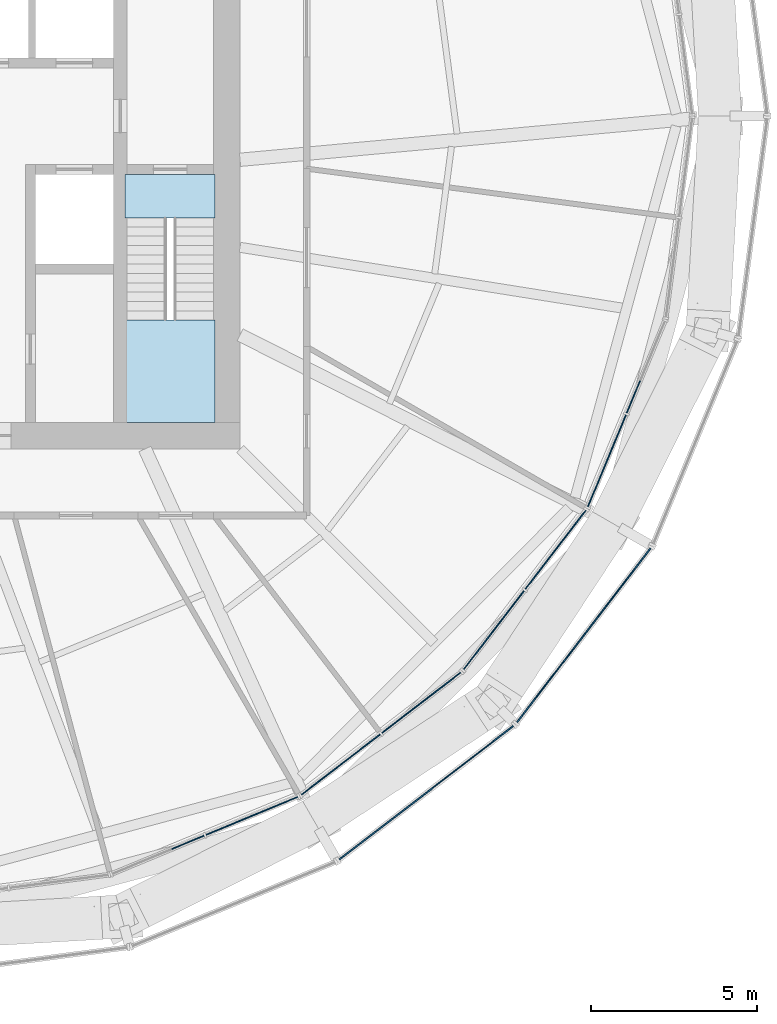
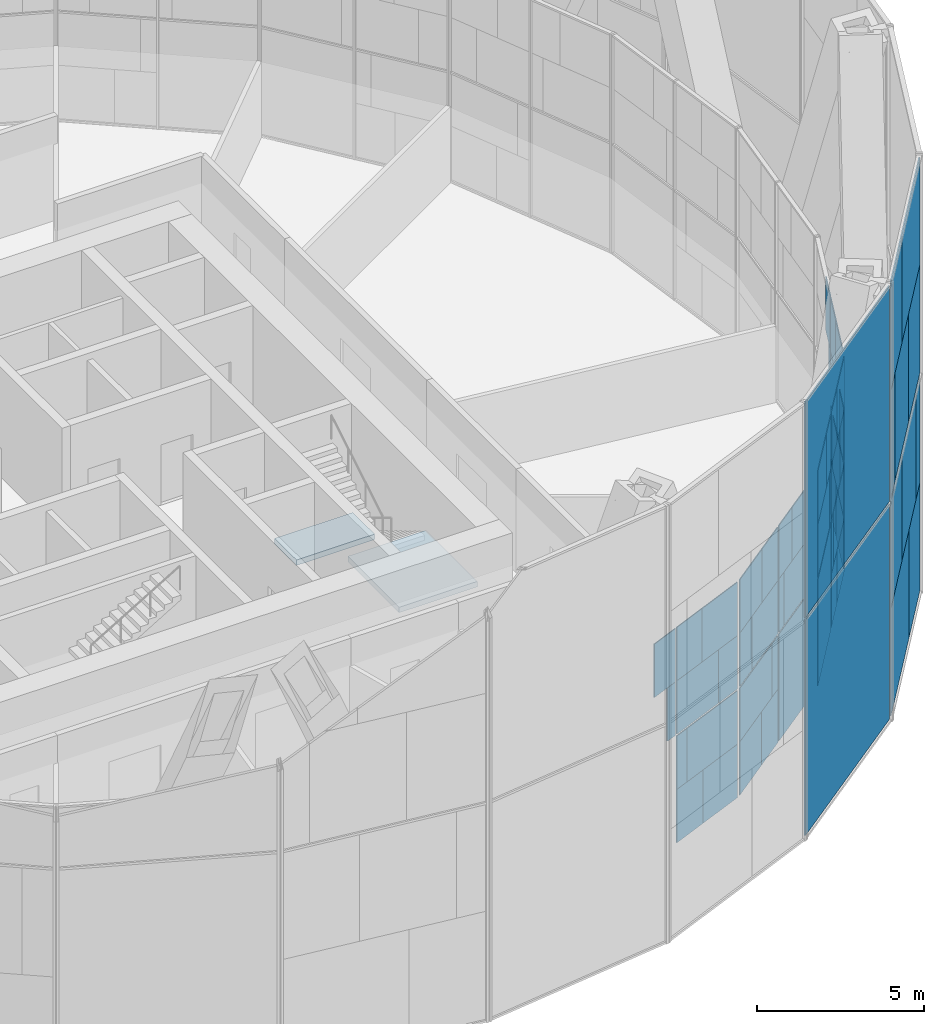
# One storey, part 14 of 22: 58 plates, 2 slabs, 7 elements without a shape of their own.
"""IFC4 building model written with IfcOpenShell, lengths in metres."""

from ifc_helpers import new_model, si_unit, direction, frame, origin, origin_2d, place, context, subcontext, project, spatial, polyline, rectangle, outline, extrude, material, layer, layer_set, type_object, element, aggregate, save


model = new_model("IFC4")

# Units and contexts
model_context = context("Model", 3, precision=1e-05, world=origin(), true_north=direction((0.0, 1.0)))
body_context = subcontext(model_context, "Body", "Model", "MODEL_VIEW")
ifc_project = project(units=[si_unit("LENGTHUNIT", "METRE"), si_unit("AREAUNIT", "SQUARE_METRE"), si_unit("VOLUMEUNIT", "CUBIC_METRE"), si_unit("PLANEANGLEUNIT", "RADIAN"), si_unit("MASSUNIT", "GRAM", prefix="KILO")], contexts=[model_context])

# Site, building, storey
site_placement = place(None, origin())
site = spatial("IfcSite", under=ifc_project, at=site_placement, CompositionType="ELEMENT")
building_placement = place(site_placement, origin())
building = spatial("IfcBuilding", under=site, at=building_placement, Name="Golbaran Civic Tower", CompositionType="ELEMENT")
storey_placement = place(building_placement, frame((0.0, 0.0, 53.0)))
storey = spatial("IfcBuildingStorey", under=building, at=storey_placement, Name="L12", CompositionType="ELEMENT", Elevation=53.0)

# Curtain wall, plates
ifc_material_1 = material(Name="Aluminium and glass", Category="aluminium")
curtain_wall_type_1 = type_object("IfcCurtainWallType", Name="INNER SKIN CURTAIN WALL", PredefinedType="NOTDEFINED", material=ifc_material_1)
curtain_wall_1_placement = place(storey_placement, origin())
curtain_wall_1 = element("IfcCurtainWall", 1, at=curtain_wall_1_placement, inside=storey, type_object=curtain_wall_type_1, Name="Inner skin L12 facet 20 CW1", ObjectType="INNER SKIN", PredefinedType="USERDEFINED")
ifc_material_2 = material(Name="Clear insulating glass", Category="glass")
ifc_layer_1 = layer(ifc_material_2, 0.031982421875, Name="Clear insulating glass")
ifc_layer_set_1 = layer_set([ifc_layer_1], Name="Clear insulating glass")
plate_type_1 = type_object("IfcPlateType", Name="INNER SKIN CURTAIN WALL GLAZED PANEL", PredefinedType="CURTAIN_PANEL", material=ifc_layer_set_1)
plate_1_placement = place(storey_placement, frame((9.5654296875, -21.34765625, 0.06494140625), z_axis=(0.0, 0.0, 1.0), x_axis=(0.923879532491, 0.382683432413, 0.0)))
plate_1 = element("IfcPlate", 2, at=plate_1_placement, type_object=plate_type_1, Name="CW1 panel 2.1 part 1", PredefinedType="CURTAIN_PANEL", context=body_context, shape_type="SweptSolid", body=[
    extrude(rectangle(XDim=1.27099609375, YDim=0.031982421875, at=origin_2d()), origin(), (0.0, 0.0, 1.0), 1.951171875),
])
plate_2_placement = place(storey_placement, frame((9.202880859375, -21.497802734375, 2.016357421875), z_axis=(0.0, 0.0, 1.0), x_axis=(0.923879532491, 0.382683432413, 0.0)))
plate_2 = element("IfcPlate", 3, at=plate_2_placement, type_object=plate_type_1, Name="CW1 panel 2.1 part 3", PredefinedType="CURTAIN_PANEL", context=body_context, shape_type="SweptSolid", body=[
    extrude(rectangle(XDim=0.486083984375, YDim=0.031982421875, at=origin_2d()), origin(), (0.0, 0.0, 1.0), 1.951171875),
])
plate_3_placement = place(storey_placement, frame((11.292724609375, -20.63232421875, 4.032470703125), z_axis=(0.0, 0.0, 1.0), x_axis=(0.923879532491, 0.382683432413, 0.0)))
plate_3 = element("IfcPlate", 4, at=plate_3_placement, type_object=plate_type_1, Name="CW1 panel 2.2 part 2", PredefinedType="CURTAIN_PANEL", context=body_context, shape_type="SweptSolid", body=[
    extrude(rectangle(XDim=0.951904296875, YDim=0.031982421875, at=origin_2d()), origin(), (0.0, 0.0, 1.0), 1.951171875),
])
plate_4_placement = place(storey_placement, frame((10.92822265625, -20.783203125, 5.98388671875), z_axis=(0.0, 0.0, 1.0), x_axis=(0.923879532491, 0.382683432413, 0.0)))
plate_4 = element("IfcPlate", 5, at=plate_4_placement, type_object=plate_type_1, Name="CW1 panel 2.2 part 4", PredefinedType="CURTAIN_PANEL", context=body_context, shape_type="SweptSolid", body=[
    extrude(rectangle(XDim=1.740966796875, YDim=0.031982421875, at=origin_2d()), origin(), (0.0, 0.0, 1.0), 1.951171875),
])

curtain_wall_2_placement = place(storey_placement, origin())
curtain_wall_2 = element("IfcCurtainWall", 6, at=curtain_wall_2_placement, inside=storey, type_object=curtain_wall_type_1, Name="Inner skin L12 facet 21 CW1", ObjectType="INNER SKIN", PredefinedType="USERDEFINED")
plate_5_placement = place(storey_placement, frame((13.704833984375, -18.957763671875, 0.06494140625), z_axis=(0.0, 0.0, 1.0), x_axis=(0.79335334027, 0.608761429036, 0.0)))
plate_5 = element("IfcPlate", 7, at=plate_5_placement, type_object=plate_type_1, Name="CW1 panel 1.1 part 2", PredefinedType="CURTAIN_PANEL", context=body_context, shape_type="SweptSolid", body=[
    extrude(rectangle(XDim=1.27099609375, YDim=0.031982421875, at=origin_2d()), origin(), (0.0, 0.0, 1.0), 1.951171875),
])
plate_6_placement = place(storey_placement, frame((14.016357421875, -18.71875, 2.016357421875), z_axis=(0.0, 0.0, 1.0), x_axis=(0.79335334027, 0.608761429036, 0.0)))
plate_6 = element("IfcPlate", 8, at=plate_6_placement, type_object=plate_type_1, Name="CW1 panel 1.1 part 4", PredefinedType="CURTAIN_PANEL", context=body_context, shape_type="SweptSolid", body=[
    extrude(rectangle(XDim=0.48583984375, YDim=0.031982421875, at=origin_2d()), origin(), (0.0, 0.0, 1.0), 1.951171875),
])
plate_7_placement = place(storey_placement, frame((12.2216796875, -20.095947265625, 4.032470703125), z_axis=(0.0, 0.0, 1.0), x_axis=(0.79335334027, 0.608761429036, 0.0)))
plate_7 = element("IfcPlate", 9, at=plate_7_placement, type_object=plate_type_1, Name="CW1 panel 1.2 part 1", PredefinedType="CURTAIN_PANEL", context=body_context, shape_type="SweptSolid", body=[
    extrude(rectangle(XDim=0.951904296875, YDim=0.031982421875, at=origin_2d()), origin(), (0.0, 0.0, 1.0), 1.951171875),
])
plate_8_placement = place(storey_placement, frame((12.53466796875, -19.855712890625, 5.98388671875), z_axis=(0.0, 0.0, 1.0), x_axis=(0.79335334027, 0.608761429036, 0.0)))
plate_8 = element("IfcPlate", 10, at=plate_8_placement, type_object=plate_type_1, Name="CW1 panel 1.2 part 3", PredefinedType="CURTAIN_PANEL", context=body_context, shape_type="SweptSolid", body=[
    extrude(rectangle(XDim=1.740966796875, YDim=0.031982421875, at=origin_2d()), origin(), (0.0, 0.0, 1.0), 1.951171875),
])
plate_9_placement = place(storey_placement, frame((15.443115234375, -17.6240234375, 0.06494140625), z_axis=(0.0, 0.0, 1.0), x_axis=(0.79335334027, 0.608761429036, 0.0)))
plate_9 = element("IfcPlate", 11, at=plate_9_placement, type_object=plate_type_1, Name="CW1 panel 2.1", PredefinedType="CURTAIN_PANEL", context=body_context, shape_type="SweptSolid", body=[
    extrude(rectangle(XDim=2.98095703125, YDim=0.031982421875, at=origin_2d()), origin(), (0.0, 0.0, 1.0), 3.902587890625),
])
plate_10_placement = place(storey_placement, frame((15.601806640625, -17.502197265625, 4.032470703125), z_axis=(0.0, 0.0, 1.0), x_axis=(0.79335334027, 0.608761429036, 0.0)))
plate_10 = element("IfcPlate", 12, at=plate_10_placement, type_object=plate_type_1, Name="CW1 panel 2.2 part 2", PredefinedType="CURTAIN_PANEL", context=body_context, shape_type="SweptSolid", body=[
    extrude(rectangle(XDim=2.5810546875, YDim=0.031982421875, at=origin_2d()), origin(), (0.0, 0.0, 1.0), 1.951171875),
])
plate_11_placement = place(storey_placement, frame((15.857666015625, -17.305908203125, 5.98388671875), z_axis=(0.0, 0.0, 1.0), x_axis=(0.79335334027, 0.608761429036, 0.0)))
plate_11 = element("IfcPlate", 13, at=plate_11_placement, type_object=plate_type_1, Name="CW1 panel 2.2 part 4", PredefinedType="CURTAIN_PANEL", context=body_context, shape_type="SweptSolid", body=[
    extrude(rectangle(XDim=1.93603515625, YDim=0.031982421875, at=origin_2d()), origin(), (0.0, 0.0, 1.0), 1.951171875),
])

curtain_wall_3_placement = place(storey_placement, origin())
curtain_wall_3 = element("IfcCurtainWall", 14, at=curtain_wall_3_placement, inside=storey, type_object=curtain_wall_type_1, Name="Inner skin L12 facet 22 CW1", ObjectType="INNER SKIN", PredefinedType="USERDEFINED")
plate_12_placement = place(storey_placement, frame((17.6240234375, -15.443115234375, 0.06494140625), z_axis=(0.0, 0.0, 1.0), x_axis=(0.608761429036, 0.79335334027, 0.0)))
plate_12 = element("IfcPlate", 15, at=plate_12_placement, type_object=plate_type_1, Name="CW1 panel 1.1", PredefinedType="CURTAIN_PANEL", context=body_context, shape_type="SweptSolid", body=[
    extrude(rectangle(XDim=2.98095703125, YDim=0.031982421875, at=origin_2d()), origin(), (0.0, 0.0, 1.0), 3.902587890625),
])
plate_13_placement = place(storey_placement, frame((17.501708984375, -15.6025390625, 4.032470703125), z_axis=(0.0, 0.0, 1.0), x_axis=(0.608761429036, 0.79335334027, 0.0)))
plate_13 = element("IfcPlate", 16, at=plate_13_placement, type_object=plate_type_1, Name="CW1 panel 1.2 part 1", PredefinedType="CURTAIN_PANEL", context=body_context, shape_type="SweptSolid", body=[
    extrude(rectangle(XDim=2.5791015625, YDim=0.031982421875, at=origin_2d()), origin(), (0.0, 0.0, 1.0), 1.951171875),
])
plate_14_placement = place(storey_placement, frame((17.305908203125, -15.857666015625, 5.98388671875), z_axis=(0.0, 0.0, 1.0), x_axis=(0.608761429036, 0.79335334027, 0.0)))
plate_14 = element("IfcPlate", 17, at=plate_14_placement, type_object=plate_type_1, Name="CW1 panel 1.2 part 3", PredefinedType="CURTAIN_PANEL", context=body_context, shape_type="SweptSolid", body=[
    extrude(rectangle(XDim=1.93603515625, YDim=0.031982421875, at=origin_2d()), origin(), (0.0, 0.0, 1.0), 1.951171875),
])
plate_15_placement = place(storey_placement, frame((18.957763671875, -13.704833984375, 0.06494140625), z_axis=(0.0, 0.0, 1.0), x_axis=(0.608761429036, 0.79335334027, 0.0)))
plate_15 = element("IfcPlate", 18, at=plate_15_placement, type_object=plate_type_1, Name="CW1 panel 2.1 part 1", PredefinedType="CURTAIN_PANEL", context=body_context, shape_type="SweptSolid", body=[
    extrude(rectangle(XDim=1.27099609375, YDim=0.031982421875, at=origin_2d()), origin(), (0.0, 0.0, 1.0), 1.951171875),
])
plate_16_placement = place(storey_placement, frame((18.718994140625, -14.016357421875, 2.016357421875), z_axis=(0.0, 0.0, 1.0), x_axis=(0.608761429036, 0.79335334027, 0.0)))
plate_16 = element("IfcPlate", 19, at=plate_16_placement, type_object=plate_type_1, Name="CW1 panel 2.1 part 3", PredefinedType="CURTAIN_PANEL", context=body_context, shape_type="SweptSolid", body=[
    extrude(rectangle(XDim=0.486083984375, YDim=0.031982421875, at=origin_2d()), origin(), (0.0, 0.0, 1.0), 1.951171875),
])
plate_17_placement = place(storey_placement, frame((20.095947265625, -12.2216796875, 4.032470703125), z_axis=(0.0, 0.0, 1.0), x_axis=(0.608761429036, 0.79335334027, 0.0)))
plate_17 = element("IfcPlate", 20, at=plate_17_placement, type_object=plate_type_1, Name="CW1 panel 2.2 part 2", PredefinedType="CURTAIN_PANEL", context=body_context, shape_type="SweptSolid", body=[
    extrude(rectangle(XDim=0.951904296875, YDim=0.031982421875, at=origin_2d()), origin(), (0.0, 0.0, 1.0), 1.951171875),
])
plate_18_placement = place(storey_placement, frame((19.855712890625, -12.53466796875, 5.98388671875), z_axis=(0.0, 0.0, 1.0), x_axis=(0.608761429036, 0.79335334027, 0.0)))
plate_18 = element("IfcPlate", 21, at=plate_18_placement, type_object=plate_type_1, Name="CW1 panel 2.2 part 4", PredefinedType="CURTAIN_PANEL", context=body_context, shape_type="SweptSolid", body=[
    extrude(rectangle(XDim=1.740966796875, YDim=0.031982421875, at=origin_2d()), origin(), (0.0, 0.0, 1.0), 1.951171875),
])

curtain_wall_4_placement = place(storey_placement, origin())
curtain_wall_4 = element("IfcCurtainWall", 22, at=curtain_wall_4_placement, inside=storey, type_object=curtain_wall_type_1, Name="Inner skin L12 facet 23 CW1", ObjectType="INNER SKIN", PredefinedType="USERDEFINED")
plate_19_placement = place(storey_placement, frame((21.34765625, -9.5654296875, 0.06494140625), z_axis=(0.0, 0.0, 1.0), x_axis=(0.382683432413, 0.923879532491, 0.0)))
plate_19 = element("IfcPlate", 23, at=plate_19_placement, type_object=plate_type_1, Name="CW1 panel 1.1 part 2", PredefinedType="CURTAIN_PANEL", context=body_context, shape_type="SweptSolid", body=[
    extrude(rectangle(XDim=1.27099609375, YDim=0.031982421875, at=origin_2d()), origin(), (0.0, 0.0, 1.0), 1.951171875),
])
plate_20_placement = place(storey_placement, frame((21.497802734375, -9.202880859375, 2.016357421875), z_axis=(0.0, 0.0, 1.0), x_axis=(0.382683432413, 0.923879532491, 0.0)))
plate_20 = element("IfcPlate", 24, at=plate_20_placement, type_object=plate_type_1, Name="CW1 panel 1.1 part 4", PredefinedType="CURTAIN_PANEL", context=body_context, shape_type="SweptSolid", body=[
    extrude(rectangle(XDim=0.48583984375, YDim=0.031982421875, at=origin_2d()), origin(), (0.0, 0.0, 1.0), 1.951171875),
])
plate_21_placement = place(storey_placement, frame((20.63232421875, -11.292724609375, 4.032470703125), z_axis=(0.0, 0.0, 1.0), x_axis=(0.382683432413, 0.923879532491, 0.0)))
plate_21 = element("IfcPlate", 25, at=plate_21_placement, type_object=plate_type_1, Name="CW1 panel 1.2 part 1", PredefinedType="CURTAIN_PANEL", context=body_context, shape_type="SweptSolid", body=[
    extrude(rectangle(XDim=0.951904296875, YDim=0.031982421875, at=origin_2d()), origin(), (0.0, 0.0, 1.0), 1.951171875),
])
plate_22_placement = place(storey_placement, frame((20.783203125, -10.92822265625, 5.98388671875), z_axis=(0.0, 0.0, 1.0), x_axis=(0.382683432413, 0.923879532491, 0.0)))
plate_22 = element("IfcPlate", 26, at=plate_22_placement, type_object=plate_type_1, Name="CW1 panel 1.2 part 3", PredefinedType="CURTAIN_PANEL", context=body_context, shape_type="SweptSolid", body=[
    extrude(rectangle(XDim=1.740966796875, YDim=0.031982421875, at=origin_2d()), origin(), (0.0, 0.0, 1.0), 1.951171875),
])

# Plate
ifc_material_3 = material(Name="Aluminium faced opaque infill panel", Category="aluminium")
ifc_layer_2 = layer(ifc_material_3, 0.031982421875, Name="Aluminium faced opaque infill panel")
ifc_layer_set_2 = layer_set([ifc_layer_2], Name="Aluminium faced opaque infill panel")
plate_type_2 = type_object("IfcPlateType", Name="INNER SKIN CURTAIN WALL OPAQUE INFILL PANEL", PredefinedType="CURTAIN_PANEL", material=ifc_layer_set_2)
plate_23_placement = place(storey_placement, frame((8.732666015625, -21.692626953125, 4.032470703125), z_axis=(0.0, 0.0, 1.0), x_axis=(0.923879532491, 0.382683432413, 0.0)))
plate_23 = element("IfcPlate", 27, at=plate_23_placement, type_object=plate_type_2, Name="CW1 infill panel 1.2 part 2", PredefinedType="CURTAIN_PANEL", context=body_context, shape_type="SweptSolid", body=[
    extrude(rectangle(XDim=0.40185546875, YDim=0.031982421875, at=origin_2d()), origin(), (0.0, 0.0, 1.0), 1.951171875),
])

plate_24_placement = place(storey_placement, frame((8.435546875, -21.815673828125, 5.98388671875), z_axis=(0.0, 0.0, 1.0), x_axis=(0.923879532491, 0.382683432413, 0.0)))
plate_24 = element("IfcPlate", 28, at=plate_24_placement, type_object=plate_type_2, Name="CW1 infill panel 1.2 part 4", PredefinedType="CURTAIN_PANEL", context=body_context, shape_type="SweptSolid", body=[
    extrude(rectangle(XDim=1.044921875, YDim=0.031982421875, at=origin_2d()), origin(), (0.0, 0.0, 1.0), 1.951171875),
])

plate_25_placement = place(storey_placement, frame((10.942626953125, -20.77734375, 0.06494140625), z_axis=(0.0, 0.0, 1.0), x_axis=(0.923879532491, 0.382683432413, 0.0)))
plate_25 = element("IfcPlate", 29, at=plate_25_placement, type_object=plate_type_2, Name="CW1 infill panel 2.1 part 2", PredefinedType="CURTAIN_PANEL", context=body_context, shape_type="SweptSolid", body=[
    extrude(rectangle(XDim=1.7099609375, YDim=0.031982421875, at=origin_2d()), origin(), (0.0, 0.0, 1.0), 1.951171875),
])

plate_26_placement = place(storey_placement, frame((10.579833984375, -20.927490234375, 2.016357421875), z_axis=(0.0, 0.0, 1.0), x_axis=(0.923879532491, 0.382683432413, 0.0)))
plate_26 = element("IfcPlate", 30, at=plate_26_placement, type_object=plate_type_2, Name="CW1 infill panel 2.1 part 4", PredefinedType="CURTAIN_PANEL", context=body_context, shape_type="SweptSolid", body=[
    extrude(rectangle(XDim=2.494873046875, YDim=0.031982421875, at=origin_2d()), origin(), (0.0, 0.0, 1.0), 1.951171875),
])

plate_27_placement = place(storey_placement, frame((9.915771484375, -21.20263671875, 4.032470703125), z_axis=(0.0, 0.0, 1.0), x_axis=(0.923879532491, 0.382683432413, 0.0)))
plate_27 = element("IfcPlate", 31, at=plate_27_placement, type_object=plate_type_2, Name="CW1 infill panel 2.2 part 1", PredefinedType="CURTAIN_PANEL", context=body_context, shape_type="SweptSolid", body=[
    extrude(rectangle(XDim=2.029052734375, YDim=0.031982421875, at=origin_2d()), origin(), (0.0, 0.0, 1.0), 1.951171875),
])

plate_28_placement = place(storey_placement, frame((9.55126953125, -21.353515625, 5.98388671875), z_axis=(0.0, 0.0, 1.0), x_axis=(0.923879532491, 0.382683432413, 0.0)))
plate_28 = element("IfcPlate", 32, at=plate_28_placement, type_object=plate_type_2, Name="CW1 infill panel 2.2 part 3", PredefinedType="CURTAIN_PANEL", context=body_context, shape_type="SweptSolid", body=[
    extrude(rectangle(XDim=1.239990234375, YDim=0.031982421875, at=origin_2d()), origin(), (0.0, 0.0, 1.0), 1.951171875),
])

aggregate(curtain_wall_1, [plate_23, plate_24, plate_1, plate_25, plate_2, plate_26, plate_27, plate_3, plate_28, plate_4])

plate_29_placement = place(storey_placement, frame((12.5224609375, -19.865234375, 0.06494140625), z_axis=(0.0, 0.0, 1.0), x_axis=(0.79335334027, 0.608761429036, 0.0)))
plate_29 = element("IfcPlate", 33, at=plate_29_placement, type_object=plate_type_2, Name="CW1 infill panel 1.1 part 1", PredefinedType="CURTAIN_PANEL", context=body_context, shape_type="SweptSolid", body=[
    extrude(rectangle(XDim=1.7099609375, YDim=0.031982421875, at=origin_2d()), origin(), (0.0, 0.0, 1.0), 1.951171875),
])

plate_30_placement = place(storey_placement, frame((12.833740234375, -19.626220703125, 2.016357421875), z_axis=(0.0, 0.0, 1.0), x_axis=(0.79335334027, 0.608761429036, 0.0)))
plate_30 = element("IfcPlate", 34, at=plate_30_placement, type_object=plate_type_2, Name="CW1 infill panel 1.1 part 3", PredefinedType="CURTAIN_PANEL", context=body_context, shape_type="SweptSolid", body=[
    extrude(rectangle(XDim=2.4951171875, YDim=0.031982421875, at=origin_2d()), origin(), (0.0, 0.0, 1.0), 1.951171875),
])

plate_31_placement = place(storey_placement, frame((13.404296875, -19.1884765625, 4.032470703125), z_axis=(0.0, 0.0, 1.0), x_axis=(0.79335334027, 0.608761429036, 0.0)))
plate_31 = element("IfcPlate", 35, at=plate_31_placement, type_object=plate_type_2, Name="CW1 infill panel 1.2 part 2", PredefinedType="CURTAIN_PANEL", context=body_context, shape_type="SweptSolid", body=[
    extrude(rectangle(XDim=2.029052734375, YDim=0.031982421875, at=origin_2d()), origin(), (0.0, 0.0, 1.0), 1.951171875),
])

plate_32_placement = place(storey_placement, frame((13.717041015625, -18.948486328125, 5.98388671875), z_axis=(0.0, 0.0, 1.0), x_axis=(0.79335334027, 0.608761429036, 0.0)))
plate_32 = element("IfcPlate", 36, at=plate_32_placement, type_object=plate_type_2, Name="CW1 infill panel 1.2 part 4", PredefinedType="CURTAIN_PANEL", context=body_context, shape_type="SweptSolid", body=[
    extrude(rectangle(XDim=1.239990234375, YDim=0.031982421875, at=origin_2d()), origin(), (0.0, 0.0, 1.0), 1.951171875),
])

plate_33_placement = place(storey_placement, frame((14.419189453125, -18.40966796875, 4.032470703125), z_axis=(0.0, 0.0, 1.0), x_axis=(0.79335334027, 0.608761429036, 0.0)))
plate_33 = element("IfcPlate", 37, at=plate_33_placement, type_object=plate_type_2, Name="CW1 infill panel 2.2 part 1", PredefinedType="CURTAIN_PANEL", context=body_context, shape_type="SweptSolid", body=[
    extrude(rectangle(XDim=0.39990234375, YDim=0.031982421875, at=origin_2d()), origin(), (0.0, 0.0, 1.0), 1.951171875),
])

plate_34_placement = place(storey_placement, frame((14.675048828125, -18.21337890625, 5.98388671875), z_axis=(0.0, 0.0, 1.0), x_axis=(0.79335334027, 0.608761429036, 0.0)))
plate_34 = element("IfcPlate", 38, at=plate_34_placement, type_object=plate_type_2, Name="CW1 infill panel 2.2 part 3", PredefinedType="CURTAIN_PANEL", context=body_context, shape_type="SweptSolid", body=[
    extrude(rectangle(XDim=1.044921875, YDim=0.031982421875, at=origin_2d()), origin(), (0.0, 0.0, 1.0), 1.951171875),
])

aggregate(curtain_wall_2, [plate_29, plate_5, plate_30, plate_6, plate_7, plate_31, plate_8, plate_32, plate_9, plate_33, plate_10, plate_34, plate_11])

plate_35_placement = place(storey_placement, frame((18.408935546875, -14.419921875, 4.032470703125), z_axis=(0.0, 0.0, 1.0), x_axis=(0.608761429036, 0.79335334027, 0.0)))
plate_35 = element("IfcPlate", 39, at=plate_35_placement, type_object=plate_type_2, Name="CW1 infill panel 1.2 part 2", PredefinedType="CURTAIN_PANEL", context=body_context, shape_type="SweptSolid", body=[
    extrude(rectangle(XDim=0.40185546875, YDim=0.031982421875, at=origin_2d()), origin(), (0.0, 0.0, 1.0), 1.951171875),
])

plate_36_placement = place(storey_placement, frame((18.21337890625, -14.675048828125, 5.98388671875), z_axis=(0.0, 0.0, 1.0), x_axis=(0.608761429036, 0.79335334027, 0.0)))
plate_36 = element("IfcPlate", 40, at=plate_36_placement, type_object=plate_type_2, Name="CW1 infill panel 1.2 part 4", PredefinedType="CURTAIN_PANEL", context=body_context, shape_type="SweptSolid", body=[
    extrude(rectangle(XDim=1.044921875, YDim=0.031982421875, at=origin_2d()), origin(), (0.0, 0.0, 1.0), 1.951171875),
])

plate_37_placement = place(storey_placement, frame((19.865234375, -12.5224609375, 0.06494140625), z_axis=(0.0, 0.0, 1.0), x_axis=(0.608761429036, 0.79335334027, 0.0)))
plate_37 = element("IfcPlate", 41, at=plate_37_placement, type_object=plate_type_2, Name="CW1 infill panel 2.1 part 2", PredefinedType="CURTAIN_PANEL", context=body_context, shape_type="SweptSolid", body=[
    extrude(rectangle(XDim=1.7099609375, YDim=0.031982421875, at=origin_2d()), origin(), (0.0, 0.0, 1.0), 1.951171875),
])

plate_38_placement = place(storey_placement, frame((19.626220703125, -12.833740234375, 2.016357421875), z_axis=(0.0, 0.0, 1.0), x_axis=(0.608761429036, 0.79335334027, 0.0)))
plate_38 = element("IfcPlate", 42, at=plate_38_placement, type_object=plate_type_2, Name="CW1 infill panel 2.1 part 4", PredefinedType="CURTAIN_PANEL", context=body_context, shape_type="SweptSolid", body=[
    extrude(rectangle(XDim=2.494873046875, YDim=0.031982421875, at=origin_2d()), origin(), (0.0, 0.0, 1.0), 1.951171875),
])

plate_39_placement = place(storey_placement, frame((19.1884765625, -13.404052734375, 4.032470703125), z_axis=(0.0, 0.0, 1.0), x_axis=(0.608761429036, 0.79335334027, 0.0)))
plate_39 = element("IfcPlate", 43, at=plate_39_placement, type_object=plate_type_2, Name="CW1 infill panel 2.2 part 1", PredefinedType="CURTAIN_PANEL", context=body_context, shape_type="SweptSolid", body=[
    extrude(rectangle(XDim=2.029052734375, YDim=0.031982421875, at=origin_2d()), origin(), (0.0, 0.0, 1.0), 1.951171875),
])

plate_40_placement = place(storey_placement, frame((18.948486328125, -13.717041015625, 5.98388671875), z_axis=(0.0, 0.0, 1.0), x_axis=(0.608761429036, 0.79335334027, 0.0)))
plate_40 = element("IfcPlate", 44, at=plate_40_placement, type_object=plate_type_2, Name="CW1 infill panel 2.2 part 3", PredefinedType="CURTAIN_PANEL", context=body_context, shape_type="SweptSolid", body=[
    extrude(rectangle(XDim=1.239990234375, YDim=0.031982421875, at=origin_2d()), origin(), (0.0, 0.0, 1.0), 1.951171875),
])

aggregate(curtain_wall_3, [plate_12, plate_13, plate_35, plate_14, plate_36, plate_15, plate_37, plate_16, plate_38, plate_39, plate_17, plate_40, plate_18])

plate_41_placement = place(storey_placement, frame((20.77734375, -10.942626953125, 0.06494140625), z_axis=(0.0, 0.0, 1.0), x_axis=(0.382683432413, 0.923879532491, 0.0)))
plate_41 = element("IfcPlate", 45, at=plate_41_placement, type_object=plate_type_2, Name="CW1 infill panel 1.1 part 1", PredefinedType="CURTAIN_PANEL", context=body_context, shape_type="SweptSolid", body=[
    extrude(rectangle(XDim=1.7099609375, YDim=0.031982421875, at=origin_2d()), origin(), (0.0, 0.0, 1.0), 1.951171875),
])

plate_42_placement = place(storey_placement, frame((20.927490234375, -10.579833984375, 2.016357421875), z_axis=(0.0, 0.0, 1.0), x_axis=(0.382683432413, 0.923879532491, 0.0)))
plate_42 = element("IfcPlate", 46, at=plate_42_placement, type_object=plate_type_2, Name="CW1 infill panel 1.1 part 3", PredefinedType="CURTAIN_PANEL", context=body_context, shape_type="SweptSolid", body=[
    extrude(rectangle(XDim=2.4951171875, YDim=0.031982421875, at=origin_2d()), origin(), (0.0, 0.0, 1.0), 1.951171875),
])

plate_43_placement = place(storey_placement, frame((21.20263671875, -9.915771484375, 4.032470703125), z_axis=(0.0, 0.0, 1.0), x_axis=(0.382683432413, 0.923879532491, 0.0)))
plate_43 = element("IfcPlate", 47, at=plate_43_placement, type_object=plate_type_2, Name="CW1 infill panel 1.2 part 2", PredefinedType="CURTAIN_PANEL", context=body_context, shape_type="SweptSolid", body=[
    extrude(rectangle(XDim=2.029052734375, YDim=0.031982421875, at=origin_2d()), origin(), (0.0, 0.0, 1.0), 1.951171875),
])

plate_44_placement = place(storey_placement, frame((21.353515625, -9.55126953125, 5.98388671875), z_axis=(0.0, 0.0, 1.0), x_axis=(0.382683432413, 0.923879532491, 0.0)))
plate_44 = element("IfcPlate", 48, at=plate_44_placement, type_object=plate_type_2, Name="CW1 infill panel 1.2 part 4", PredefinedType="CURTAIN_PANEL", context=body_context, shape_type="SweptSolid", body=[
    extrude(rectangle(XDim=1.239990234375, YDim=0.031982421875, at=origin_2d()), origin(), (0.0, 0.0, 1.0), 1.951171875),
])

plate_45_placement = place(storey_placement, frame((21.692138671875, -8.733642578125, 4.032470703125), z_axis=(0.0, 0.0, 1.0), x_axis=(0.382683432413, 0.923879532491, 0.0)))
plate_45 = element("IfcPlate", 49, at=plate_45_placement, type_object=plate_type_2, Name="CW1 infill panel 2.2 part 1", PredefinedType="CURTAIN_PANEL", context=body_context, shape_type="SweptSolid", body=[
    extrude(rectangle(XDim=0.39990234375, YDim=0.031982421875, at=origin_2d()), origin(), (0.0, 0.0, 1.0), 1.951171875),
])

plate_46_placement = place(storey_placement, frame((21.815673828125, -8.435546875, 5.98388671875), z_axis=(0.0, 0.0, 1.0), x_axis=(0.382683432413, 0.923879532491, 0.0)))
plate_46 = element("IfcPlate", 50, at=plate_46_placement, type_object=plate_type_2, Name="CW1 infill panel 2.2 part 3", PredefinedType="CURTAIN_PANEL", context=body_context, shape_type="SweptSolid", body=[
    extrude(rectangle(XDim=1.044921875, YDim=0.031982421875, at=origin_2d()), origin(), (0.0, 0.0, 1.0), 1.951171875),
])

aggregate(curtain_wall_4, [plate_41, plate_19, plate_42, plate_20, plate_21, plate_43, plate_22, plate_44, plate_45, plate_46])

# Curtain wall, plates
curtain_wall_type_2 = type_object("IfcCurtainWallType", Name="OUTER SKIN TERRACOTTA SCREEN", PredefinedType="NOTDEFINED", material=ifc_material_1)
curtain_wall_5_placement = place(storey_placement, origin())
curtain_wall_5 = element("IfcCurtainWall", 51, at=curtain_wall_5_placement, inside=storey, type_object=curtain_wall_type_2, Name="Outer skin L12 facet 22 CW3", ObjectType="OUTER SKIN", PredefinedType="USERDEFINED")
ifc_material_4 = material(Name="Clear laminated glass", Category="glass")
ifc_layer_3 = layer(ifc_material_4, 0.0400390625, Name="Clear laminated glass")
ifc_layer_set_3 = layer_set([ifc_layer_3], Name="Clear laminated glass")
plate_type_3 = type_object("IfcPlateType", Name="OUTER SKIN CLEAR GLASS PANEL", PredefinedType="CURTAIN_PANEL", material=ifc_layer_set_3)
plate_47_placement = place(storey_placement, frame((19.570556640625, -16.58056640625, -0.6298828125), z_axis=(0.0, 0.0, 1.0), x_axis=(0.608761428926, 0.793353340355, 0.0)))
plate_47 = element("IfcPlate", 52, at=plate_47_placement, type_object=plate_type_3, Name="CW3 panel 1.1 part 1", PredefinedType="CURTAIN_PANEL", context=body_context, shape_type="SweptSolid", body=[
    extrude(rectangle(XDim=4.10498046875, YDim=0.0400390625, at=origin_2d()), origin(), (0.0, 0.0, 1.0), 3.93994140625),
])
plate_48_placement = place(storey_placement, frame((19.08544921875, -17.212890625, 3.31005859375), z_axis=(0.0, 0.0, 1.0), x_axis=(0.608761428926, 0.793353340355, 0.0)))
plate_48 = element("IfcPlate", 53, at=plate_48_placement, type_object=plate_type_3, Name="CW3 panel 1.1 part 3", PredefinedType="CURTAIN_PANEL", context=body_context, shape_type="SweptSolid", body=[
    extrude(rectangle(XDim=2.510986328125, YDim=0.0400390625, at=origin_2d()), origin(), (0.0, 0.0, 1.0), 3.93994140625),
])
plate_49_placement = place(storey_placement, frame((22.04541015625, -13.355224609375, 3.31005859375), z_axis=(0.0, 0.0, 1.0), x_axis=(0.608761428926, 0.793353340355, 0.0)))
plate_49 = element("IfcPlate", 54, at=plate_49_placement, type_object=plate_type_3, Name="CW3 panel 1.1 part 5", PredefinedType="CURTAIN_PANEL", context=body_context, shape_type="SweptSolid", body=[
    extrude(rectangle(XDim=0.935791015625, YDim=0.0400390625, at=origin_2d()), origin(), (0.0, 0.0, 1.0), 3.93994140625),
])
plate_50_placement = place(storey_placement, frame((18.5908203125, -17.857421875, 7.330078125), z_axis=(0.0, 0.0, 1.0), x_axis=(0.608761428926, 0.793353340355, 0.0)))
plate_50 = element("IfcPlate", 55, at=plate_50_placement, type_object=plate_type_3, Name="CW3 panel 1.2 part 1", PredefinedType="CURTAIN_PANEL", context=body_context, shape_type="SweptSolid", body=[
    extrude(rectangle(XDim=0.885986328125, YDim=0.0400390625, at=origin_2d()), origin(), (0.0, 0.0, 1.0), 3.93994140625),
])
plate_51_placement = place(storey_placement, frame((21.55322265625, -13.99658203125, 7.330078125), z_axis=(0.0, 0.0, 1.0), x_axis=(0.608761428926, 0.793353340355, 0.0)))
plate_51 = element("IfcPlate", 56, at=plate_51_placement, type_object=plate_type_3, Name="CW3 panel 1.2 part 3", PredefinedType="CURTAIN_PANEL", context=body_context, shape_type="SweptSolid", body=[
    extrude(rectangle(XDim=2.552734375, YDim=0.0400390625, at=origin_2d()), origin(), (0.0, 0.0, 1.0), 3.93994140625),
])
plate_52_placement = place(storey_placement, frame((21.07080078125, -14.625244140625, 11.27001953125), z_axis=(0.0, 0.0, 1.0), x_axis=(0.608761428926, 0.793353340355, 0.0)))
plate_52 = element("IfcPlate", 57, at=plate_52_placement, type_object=plate_type_3, Name="CW3 panel 1.2 part 5", PredefinedType="CURTAIN_PANEL", context=body_context, shape_type="SweptSolid", body=[
    extrude(rectangle(XDim=4.137939453125, YDim=0.0400390625, at=origin_2d()), origin(), (0.0, 0.0, 1.0), 3.93994140625),
])
ifc_material_5 = material(Name="Terracotta baguette screen", Category="masonry")
ifc_layer_4 = layer(ifc_material_5, 0.0400390625, Name="Terracotta baguette screen")
ifc_layer_set_4 = layer_set([ifc_layer_4], Name="Terracotta baguette screen")
plate_type_4 = type_object("IfcPlateType", Name="OUTER SKIN TERRACOTTA INFILL PANEL", PredefinedType="CURTAIN_PANEL", material=ifc_layer_set_4)
plate_53_placement = place(storey_placement, frame((21.5751953125, -13.968017578125, -0.6298828125), z_axis=(0.0, 0.0, 1.0), x_axis=(0.608761428926, 0.793353340355, 0.0)))
plate_53 = element("IfcPlate", 58, at=plate_53_placement, type_object=plate_type_4, Name="CW3 infill panel 1.1 part 2", PredefinedType="CURTAIN_PANEL", context=body_context, shape_type="SweptSolid", body=[
    extrude(rectangle(XDim=2.48095703125, YDim=0.0400390625, at=origin_2d()), origin(), (0.0, 0.0, 1.0), 3.93994140625),
])
plate_54_placement = place(storey_placement, frame((20.80517578125, -14.9716796875, 3.31005859375), z_axis=(0.0, 0.0, 1.0), x_axis=(0.608761428926, 0.793353340355, 0.0)))
plate_54 = element("IfcPlate", 59, at=plate_54_placement, type_object=plate_type_4, Name="CW3 infill panel 1.1 part 4", PredefinedType="CURTAIN_PANEL", context=body_context, shape_type="SweptSolid", body=[
    extrude(rectangle(XDim=3.138916015625, YDim=0.0400390625, at=origin_2d()), origin(), (0.0, 0.0, 1.0), 3.93994140625),
])
plate_55_placement = place(storey_placement, frame((19.818359375, -16.257568359375, 7.330078125), z_axis=(0.0, 0.0, 1.0), x_axis=(0.608761428926, 0.793353340355, 0.0)))
plate_55 = element("IfcPlate", 60, at=plate_55_placement, type_object=plate_type_4, Name="CW3 infill panel 1.2 part 2", PredefinedType="CURTAIN_PANEL", context=body_context, shape_type="SweptSolid", body=[
    extrude(rectangle(XDim=3.14697265625, YDim=0.0400390625, at=origin_2d()), origin(), (0.0, 0.0, 1.0), 3.93994140625),
])
plate_56_placement = place(storey_placement, frame((19.066162109375, -17.23779296875, 11.27001953125), z_axis=(0.0, 0.0, 1.0), x_axis=(0.608761428926, 0.793353340355, 0.0)))
plate_56 = element("IfcPlate", 61, at=plate_56_placement, type_object=plate_type_4, Name="CW3 infill panel 1.2 part 4", PredefinedType="CURTAIN_PANEL", context=body_context, shape_type="SweptSolid", body=[
    extrude(rectangle(XDim=2.447998046875, YDim=0.0400390625, at=origin_2d()), origin(), (0.0, 0.0, 1.0), 3.93994140625),
])
aggregate(curtain_wall_5, [plate_47, plate_53, plate_48, plate_54, plate_49, plate_50, plate_55, plate_51, plate_56, plate_52])

curtain_wall_6_placement = place(storey_placement, origin())
curtain_wall_6 = element("IfcCurtainWall", 62, at=curtain_wall_6_placement, inside=storey, type_object=curtain_wall_type_2, Name="Outer skin L12 facet 21 CW3", ObjectType="OUTER SKIN", PredefinedType="USERDEFINED")
ifc_layer_5 = layer(ifc_material_5, 0.0400390625, Name="Terracotta baguette screen")
ifc_layer_set_5 = layer_set([ifc_layer_5], Name="Terracotta baguette screen")
plate_type_5 = type_object("IfcPlateType", Name="OUTER SKIN TERRACOTTA SCREEN PANEL", PredefinedType="CURTAIN_PANEL", material=ifc_layer_set_5)
plate_57_placement = place(storey_placement, frame((15.596435546875, -20.32568359375, -0.6298828125), z_axis=(0.0, 0.0, 1.0), x_axis=(0.793353340355, 0.608761428926, 0.0)))
plate_57 = element("IfcPlate", 63, at=plate_57_placement, type_object=plate_type_5, Name="CW3 terracotta screen panel 1.1", PredefinedType="CURTAIN_PANEL", context=body_context, shape_type="SweptSolid", body=[
    extrude(rectangle(XDim=6.5859375, YDim=0.0400390625, at=origin_2d()), origin(), (0.0, 0.0, 1.0), 7.8798828125),
])
plate_58_placement = place(storey_placement, frame((15.596435546875, -20.32568359375, 7.330078125), z_axis=(0.0, 0.0, 1.0), x_axis=(0.793353340355, 0.608761428926, 0.0)))
plate_58 = element("IfcPlate", 64, at=plate_58_placement, type_object=plate_type_5, Name="CW3 terracotta screen panel 1.2", PredefinedType="CURTAIN_PANEL", context=body_context, shape_type="SweptSolid", body=[
    extrude(rectangle(XDim=6.5859375, YDim=0.0400390625, at=origin_2d()), origin(), (0.0, 0.0, 1.0), 7.8798828125),
])
aggregate(curtain_wall_6, [plate_57, plate_58])

# Stair, slab
ifc_material_6 = material(Name="Concrete C35/45", Category="concrete")
stair_type = type_object("IfcStairType", Name="EXIT STAIR 2600 x 7450, 4000 RISE", PredefinedType="HALF_TURN_STAIR", material=ifc_material_6)
stair_placement = place(storey_placement, origin())
stair = element("IfcStair", 65, at=stair_placement, inside=storey, type_object=stair_type, Name="Stair S2 L12", PredefinedType="HALF_TURN_STAIR")
ifc_layer_6 = layer(ifc_material_6, 0.199951171875, Name="Concrete C35/45")
ifc_layer_set_6 = layer_set([ifc_layer_6], Name="Concrete C35/45")
slab_type = type_object("IfcSlabType", Name="STAIR LANDING 200", PredefinedType="LANDING", material=ifc_layer_set_6)
slab_1_placement = place(storey_placement, frame((0.0, 0.0, 1.800048828125)))
slab_1 = element("IfcSlab", 66, at=slab_1_placement, type_object=slab_type, Name="ST26074-40 landing 1", PredefinedType="LANDING", context=body_context, shape_type="SweptSolid", body=[
    extrude(outline(polyline([(9.25, -6.125), (9.25, -9.199951171875), (6.550048828125, -9.199951171875), (6.550048828125, -6.125), (9.25, -6.125)])), origin(), (0.0, 0.0, 1.0), 0.199951171875),
])
aggregate(stair, [slab_1])

# Slab
slab_2_placement = place(storey_placement, frame((0.0, 0.0, -0.199951171875)))
element("IfcSlab", 67, at=slab_2_placement, inside=storey, type_object=slab_type, Name="Stair S2 floor landing L12", PredefinedType="LANDING", context=body_context, shape_type="SweptSolid", body=[
    extrude(outline(polyline([(9.25, -1.75), (9.25, -3.054931640625), (6.550048828125, -3.054931640625), (6.550048828125, -1.75), (9.25, -1.75)])), origin(), (0.0, 0.0, 1.0), 0.199951171875),
])

save(model, "model.ifc")
